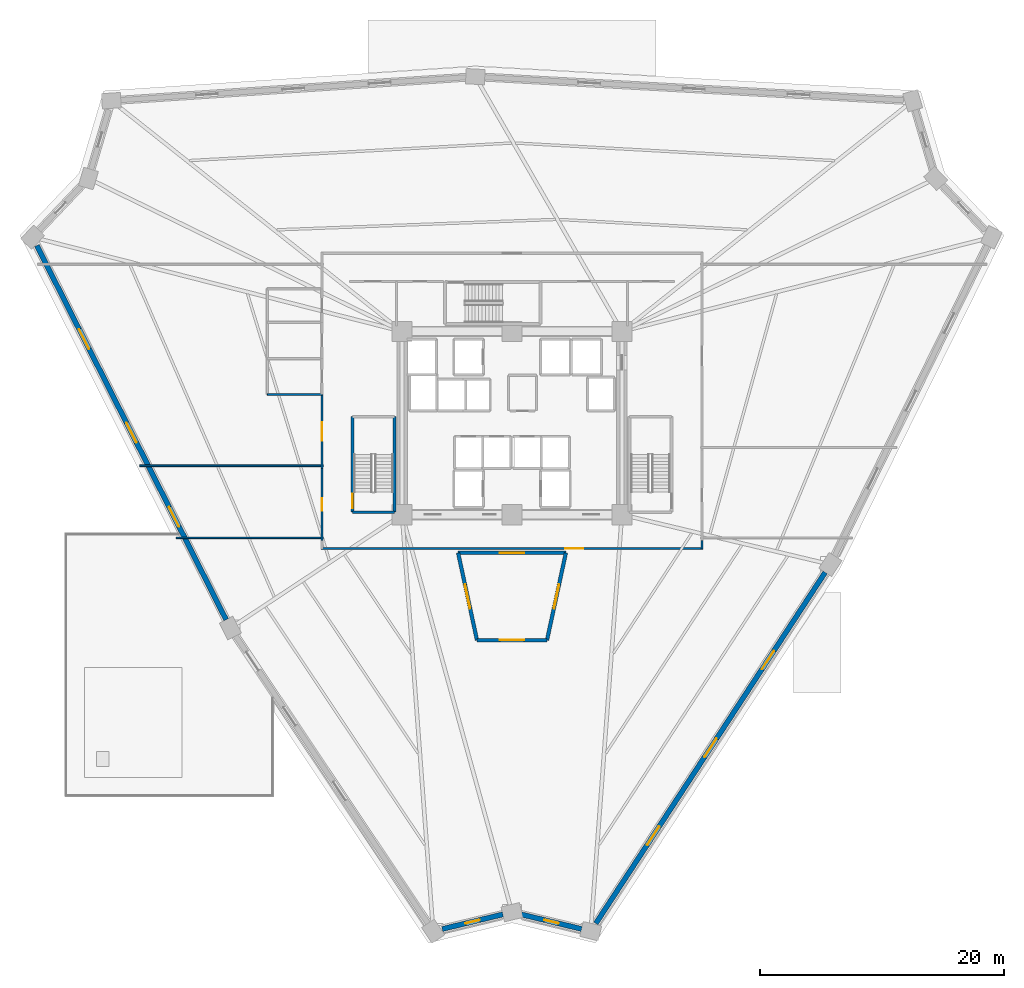
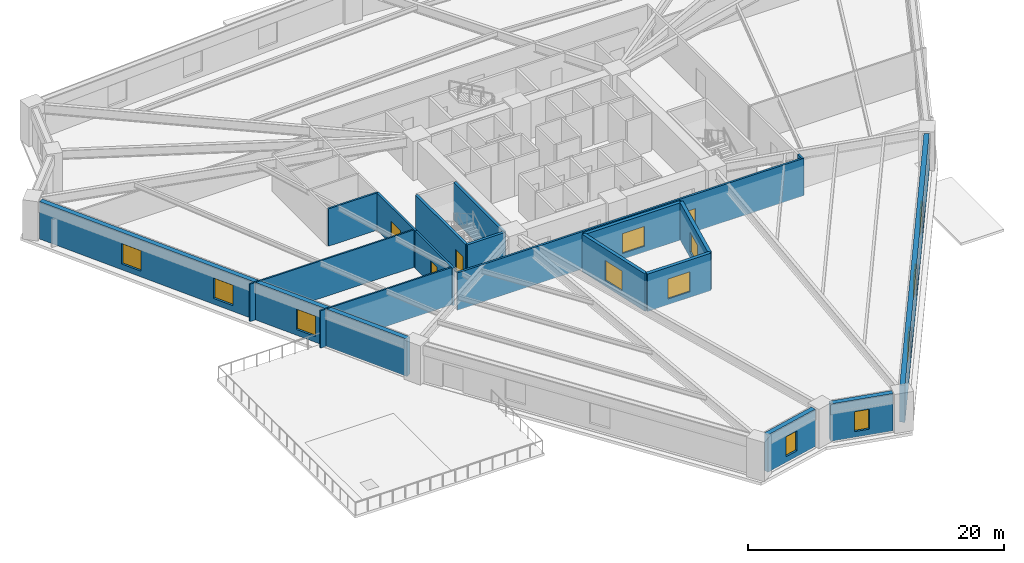
# One storey, part 3 of 9: 18 walls, 12 windows, 4 doors, 16 openings.
"""IFC4 building model written with IfcOpenShell, lengths in metres."""

from ifc_helpers import new_model, si_unit, direction, frame, frame_2d, origin, place, context, subcontext, project, spatial, rectangle, extrude, source, transform, mapped, material, layer, layer_set, type_object, element, fill, save


model = new_model("IFC4")

# Units and contexts
model_context = context("Model", 3, precision=1e-05, world=origin(), true_north=direction((0.0, 1.0)))
body_context = subcontext(model_context, "Body", "Model", "MODEL_VIEW")
ifc_project = project(units=[si_unit("LENGTHUNIT", "METRE"), si_unit("AREAUNIT", "SQUARE_METRE"), si_unit("VOLUMEUNIT", "CUBIC_METRE"), si_unit("PLANEANGLEUNIT", "RADIAN"), si_unit("MASSUNIT", "GRAM", prefix="KILO")], contexts=[model_context])

# Site, building, storey
site_placement = place(None, origin())
site = spatial("IfcSite", under=ifc_project, at=site_placement, CompositionType="ELEMENT")
building_placement = place(site_placement, origin())
building = spatial("IfcBuilding", under=site, at=building_placement, Name="Liaohun Quay Tower", CompositionType="ELEMENT")
storey_placement = place(building_placement, frame((0.0, 0.0, 28.5)))
storey = spatial("IfcBuildingStorey", under=building, at=storey_placement, Name="L07", CompositionType="ELEMENT", Elevation=28.5)

# Wall, opening, window
ifc_material_1 = material(Name="Concrete C50", Category="concrete")
ifc_layer_1 = layer(ifc_material_1, 0.300048828125, Name="Concrete C50", Category="concrete")
ifc_layer_set_1 = layer_set([ifc_layer_1], Name="Concrete C50")
wall_type_1 = type_object("IfcWallType", Name="WAL-ATR-300", PredefinedType="SOLIDWALL", material=ifc_layer_set_1)
wall_1_placement = place(storey_placement, frame((57.133056640625, 36.22998046875, 0.0), z_axis=(0.0, 0.0, 1.0), x_axis=(-0.211350050716, 0.97741043378, 0.0)))
wall_1 = element("IfcWall", 1, at=wall_1_placement, inside=storey, type_object=wall_type_1, Name="L07 Atrium Fire Compartment Wall 1", PredefinedType="SOLIDWALL", context=body_context, shape_type="SweptSolid", body=[
    extrude(rectangle(XDim=7.30517578125, YDim=0.300048828125, at=frame_2d((3.652587890625, 0.0))), origin(), (0.0, 0.0, 1.0), 3.570068359375),
])
shared_shape_1 = source(origin(), body_context, "Body", "SweptSolid", [
    extrude(rectangle(XDim=2.0, YDim=1.89990234375, at=frame_2d((1.0, 0.949951171875))), frame((0.0, 0.159912109375, 0.0), z_axis=(0.0, -1.0, 0.0), x_axis=(1.0, 0.0, 0.0)), (0.0, 0.0, 1.0), 0.320068359375),
])
opening_1_placement = place(wall_1_placement, frame((2.653076171875, 0.0, 0.550048828125)))
opening_1 = element("IfcOpeningElement", 2, at=opening_1_placement, cuts=wall_1, Name="Opening W07", PredefinedType="OPENING", context=body_context, shape_type="MappedRepresentation", body=[
    mapped(shared_shape_1, transform((0.0, 0.0, 0.0), x_axis=(1.0, 0.0, 0.0), y_axis=(0.0, 1.0, 0.0), z_axis=(0.0, 0.0, 1.0), scale=1.0)),
])
ifc_material_2 = material(Name="Class A 180-min fire-resistant insulated glazing", Category="glass")
window_type_1 = type_object("IfcWindowType", Name="WIN-ATR-FIR", PartitioningType="DOUBLE_PANEL_VERTICAL", PredefinedType="WINDOW", material=ifc_material_2)
shared_shape_2 = source(origin(), body_context, "Body", "SweptSolid", [
    extrude(rectangle(XDim=2.0, YDim=1.89990234375, at=frame_2d((1.0, 0.949951171875))), frame((0.0, 0.030029296875, 0.0), z_axis=(0.0, -1.0, 0.0), x_axis=(1.0, 0.0, 0.0)), (0.0, 0.0, 1.0), 0.06005859375),
])
window_1_placement = place(opening_1_placement, origin())
window_1 = element("IfcWindow", 3, at=window_1_placement, inside=storey, type_object=window_type_1, Name="L07 Atrium Fire-Resistant Glazing W07-1", OverallHeight=1.89990234375, OverallWidth=2.0, PartitioningType="DOUBLE_PANEL_VERTICAL", PredefinedType="WINDOW", context=body_context, shape_type="MappedRepresentation", body=[
    mapped(shared_shape_2, transform((0.0, 0.0, 0.0), x_axis=(1.0, 0.0, 0.0), y_axis=(0.0, 1.0, 0.0), z_axis=(0.0, 0.0, 1.0), scale=1.0)),
])
fill(opening_1, window_1)

wall_2_placement = place(storey_placement, frame((55.589111328125, 43.3701171875, 0.0), z_axis=(0.0, 0.0, 1.0), x_axis=(1.0, 0.0, 0.0)))
wall_2 = element("IfcWall", 4, at=wall_2_placement, inside=storey, type_object=wall_type_1, Name="L07 Atrium Fire Compartment Wall 2", PredefinedType="SOLIDWALL", context=body_context, shape_type="SweptSolid", body=[
    extrude(rectangle(XDim=8.82177734375, YDim=0.300048828125, at=frame_2d((4.410888671875, 0.0))), origin(), (0.0, 0.0, 1.0), 3.570068359375),
])
opening_2_placement = place(wall_2_placement, frame((3.410888671875, 0.0, 0.550048828125)))
opening_2 = element("IfcOpeningElement", 5, at=opening_2_placement, cuts=wall_2, Name="Opening W07", PredefinedType="OPENING", context=body_context, shape_type="MappedRepresentation", body=[
    mapped(shared_shape_1, transform((0.0, 0.0, 0.0), x_axis=(1.0, 0.0, 0.0), y_axis=(0.0, 1.0, 0.0), z_axis=(0.0, 0.0, 1.0), scale=1.0)),
])
window_2_placement = place(opening_2_placement, origin())
window_2 = element("IfcWindow", 6, at=window_2_placement, inside=storey, type_object=window_type_1, Name="L07 Atrium Fire-Resistant Glazing W07-2", OverallHeight=1.89990234375, OverallWidth=2.0, PartitioningType="DOUBLE_PANEL_VERTICAL", PredefinedType="WINDOW", context=body_context, shape_type="MappedRepresentation", body=[
    mapped(shared_shape_2, transform((0.0, 0.0, 0.0), x_axis=(1.0, 0.0, 0.0), y_axis=(0.0, 1.0, 0.0), z_axis=(0.0, 0.0, 1.0), scale=1.0)),
])
fill(opening_2, window_2)

wall_3_placement = place(storey_placement, frame((64.410888671875, 43.3701171875, 0.0), z_axis=(0.0, 0.0, 1.0), x_axis=(-0.211350050716, -0.97741043378, 0.0)))
wall_3 = element("IfcWall", 7, at=wall_3_placement, inside=storey, type_object=wall_type_1, Name="L07 Atrium Fire Compartment Wall 3", PredefinedType="SOLIDWALL", context=body_context, shape_type="SweptSolid", body=[
    extrude(rectangle(XDim=7.30517578125, YDim=0.300048828125, at=frame_2d((3.652587890625, 0.0))), origin(), (0.0, 0.0, 1.0), 3.570068359375),
])
opening_3_placement = place(wall_3_placement, frame((2.653076171875, 0.0, 0.550048828125)))
opening_3 = element("IfcOpeningElement", 8, at=opening_3_placement, cuts=wall_3, Name="Opening W07", PredefinedType="OPENING", context=body_context, shape_type="MappedRepresentation", body=[
    mapped(shared_shape_1, transform((0.0, 0.0, 0.0), x_axis=(1.0, 0.0, 0.0), y_axis=(0.0, 1.0, 0.0), z_axis=(0.0, 0.0, 1.0), scale=1.0)),
])
window_3_placement = place(opening_3_placement, origin())
window_3 = element("IfcWindow", 9, at=window_3_placement, inside=storey, type_object=window_type_1, Name="L07 Atrium Fire-Resistant Glazing W07-3", OverallHeight=1.89990234375, OverallWidth=2.0, PartitioningType="DOUBLE_PANEL_VERTICAL", PredefinedType="WINDOW", context=body_context, shape_type="MappedRepresentation", body=[
    mapped(shared_shape_2, transform((0.0, 0.0, 0.0), x_axis=(1.0, 0.0, 0.0), y_axis=(0.0, 1.0, 0.0), z_axis=(0.0, 0.0, 1.0), scale=1.0)),
])
fill(opening_3, window_3)

wall_4_placement = place(storey_placement, frame((62.866943359375, 36.22998046875, 0.0), z_axis=(0.0, 0.0, 1.0), x_axis=(-1.0, 0.0, 0.0)))
wall_4 = element("IfcWall", 10, at=wall_4_placement, inside=storey, type_object=wall_type_1, Name="L07 Atrium Fire Compartment Wall 4", PredefinedType="SOLIDWALL", context=body_context, shape_type="SweptSolid", body=[
    extrude(rectangle(XDim=5.73388671875, YDim=0.300048828125, at=frame_2d((2.866943359375, 0.0))), origin(), (0.0, 0.0, 1.0), 3.570068359375),
])
opening_4_placement = place(wall_4_placement, frame((1.866943359375, 0.0, 0.550048828125)))
opening_4 = element("IfcOpeningElement", 11, at=opening_4_placement, cuts=wall_4, Name="Opening W07", PredefinedType="OPENING", context=body_context, shape_type="MappedRepresentation", body=[
    mapped(shared_shape_1, transform((0.0, 0.0, 0.0), x_axis=(1.0, 0.0, 0.0), y_axis=(0.0, 1.0, 0.0), z_axis=(0.0, 0.0, 1.0), scale=1.0)),
])
window_4_placement = place(opening_4_placement, origin())
window_4 = element("IfcWindow", 12, at=window_4_placement, inside=storey, type_object=window_type_1, Name="L07 Atrium Fire-Resistant Glazing W07-4", OverallHeight=1.89990234375, OverallWidth=2.0, PartitioningType="DOUBLE_PANEL_VERTICAL", PredefinedType="WINDOW", context=body_context, shape_type="MappedRepresentation", body=[
    mapped(shared_shape_2, transform((0.0, 0.0, 0.0), x_axis=(1.0, 0.0, 0.0), y_axis=(0.0, 1.0, 0.0), z_axis=(0.0, 0.0, 1.0), scale=1.0)),
])
fill(opening_4, window_4)

ifc_material_3 = material(Name="Precast concrete C50 insulated sandwich", Category="concrete")
ifc_layer_2 = layer(ifc_material_3, 0.419921875, Name="Precast concrete C50 insulated sandwich", Category="concrete")
ifc_layer_set_2 = layer_set([ifc_layer_2], Name="Precast concrete C50 insulated sandwich")
wall_type_2 = type_object("IfcWallType", Name="WAL-EXT-Z12", PredefinedType="SOLIDWALL", material=ifc_layer_set_2)
wall_5_placement = place(storey_placement, frame((60.743896484375, 13.77587890625, 0.0), z_axis=(0.0, 0.0, 1.0), x_axis=(0.972105159674, -0.234545429577, 0.0)))
wall_5 = element("IfcWall", 13, at=wall_5_placement, inside=storey, type_object=wall_type_2, Name="L07 Brutalist Precast Pier Wall 01", PredefinedType="SOLIDWALL", context=body_context, shape_type="SweptSolid", body=[
    extrude(rectangle(XDim=5.1025390625, YDim=0.419921875, at=frame_2d((2.55126953125, 0.0))), origin(), (0.0, 0.0, 1.0), 3.570068359375),
])
shared_shape_3 = source(origin(), body_context, "Body", "SweptSolid", [
    extrude(rectangle(XDim=1.199951171875, YDim=1.89990234375, at=frame_2d((0.60009765625, 0.949951171875))), frame((0.0, 0.219970703125, 0.0), z_axis=(0.0, -1.0, 0.0), x_axis=(1.0, 0.0, 0.0)), (0.0, 0.0, 1.0), 0.43994140625),
])
opening_5_placement = place(wall_5_placement, frame((1.950927734375, 0.0, 0.550048828125)))
opening_5 = element("IfcOpeningElement", 14, at=opening_5_placement, cuts=wall_5, Name="Opening W05", PredefinedType="OPENING", context=body_context, shape_type="MappedRepresentation", body=[
    mapped(shared_shape_3, transform((0.0, 0.0, 0.0), x_axis=(1.0, 0.0, 0.0), y_axis=(0.0, 1.0, 0.0), z_axis=(0.0, 0.0, 1.0), scale=1.0)),
])
ifc_material_4 = material(Name="Triple Low-E corner notch glazing", Category="glass")
window_type_2 = type_object("IfcWindowType", Name="WIN-NOTCH", PartitioningType="SINGLE_PANEL", PredefinedType="WINDOW", material=ifc_material_4)
shared_shape_4 = source(origin(), body_context, "Body", "SweptSolid", [
    extrude(rectangle(XDim=1.199951171875, YDim=1.89990234375, at=frame_2d((0.60009765625, 0.949951171875))), frame((0.0, 0.030029296875, 0.0), z_axis=(0.0, -1.0, 0.0), x_axis=(1.0, 0.0, 0.0)), (0.0, 0.0, 1.0), 0.06005859375),
])
window_5_placement = place(opening_5_placement, origin())
window_5 = element("IfcWindow", 15, at=window_5_placement, inside=storey, type_object=window_type_2, Name="L07 Corner Notch Window W05-01", OverallHeight=1.89990234375, OverallWidth=1.199951171875, PartitioningType="SINGLE_PANEL", PredefinedType="WINDOW", context=body_context, shape_type="MappedRepresentation", body=[
    mapped(shared_shape_4, transform((0.0, 0.0, 0.0), x_axis=(1.0, 0.0, 0.0), y_axis=(0.0, 1.0, 0.0), z_axis=(0.0, 0.0, 1.0), scale=1.0)),
])
fill(opening_5, window_5)

# Wall, openings, windows
wall_6_placement = place(storey_placement, frame((66.865966796875, 13.0390625, 0.0), z_axis=(0.0, 0.0, 1.0), x_axis=(0.546962537422, 0.837157083621, 0.0)))
wall_6 = element("IfcWall", 16, at=wall_6_placement, inside=storey, type_object=wall_type_2, Name="L07 Brutalist Precast Pier Wall 02", PredefinedType="SOLIDWALL", context=body_context, shape_type="SweptSolid", body=[
    extrude(rectangle(XDim=34.335205078125, YDim=0.419921875, at=frame_2d((17.16748046875, 0.0))), origin(), (0.0, 0.0, 1.0), 3.570068359375),
])
shared_shape_5 = source(origin(), body_context, "Body", "SweptSolid", [
    extrude(rectangle(XDim=1.800048828125, YDim=1.949951171875, at=frame_2d((0.89990234375, 0.97509765625))), frame((0.0, 0.219970703125, 0.0), z_axis=(0.0, -1.0, 0.0), x_axis=(1.0, 0.0, 0.0)), (0.0, 0.0, 1.0), 0.43994140625),
])
opening_6_placement = place(wall_6_placement, frame((7.68408203125, 0.0, 0.550048828125)))
opening_6 = element("IfcOpeningElement", 17, at=opening_6_placement, cuts=wall_6, Name="Opening W01", PredefinedType="OPENING", context=body_context, shape_type="MappedRepresentation", body=[
    mapped(shared_shape_5, transform((0.0, 0.0, 0.0), x_axis=(1.0, 0.0, 0.0), y_axis=(0.0, 1.0, 0.0), z_axis=(0.0, 0.0, 1.0), scale=1.0)),
])
opening_7_placement = place(wall_6_placement, frame((16.26806640625, 0.0, 0.550048828125)))
opening_7 = element("IfcOpeningElement", 18, at=opening_7_placement, cuts=wall_6, Name="Opening W01", PredefinedType="OPENING", context=body_context, shape_type="MappedRepresentation", body=[
    mapped(shared_shape_5, transform((0.0, 0.0, 0.0), x_axis=(1.0, 0.0, 0.0), y_axis=(0.0, 1.0, 0.0), z_axis=(0.0, 0.0, 1.0), scale=1.0)),
])
opening_8_placement = place(wall_6_placement, frame((24.85107421875, 0.0, 0.550048828125)))
opening_8 = element("IfcOpeningElement", 19, at=opening_8_placement, cuts=wall_6, Name="Opening W01", PredefinedType="OPENING", context=body_context, shape_type="MappedRepresentation", body=[
    mapped(shared_shape_5, transform((0.0, 0.0, 0.0), x_axis=(1.0, 0.0, 0.0), y_axis=(0.0, 1.0, 0.0), z_axis=(0.0, 0.0, 1.0), scale=1.0)),
])
ifc_material_5 = material(Name="Triple Low-E argon glazing in thermally broken aluminium", Category="aluminium")
window_type_3 = type_object("IfcWindowType", Name="WIN-PUN-Z1", PartitioningType="DOUBLE_PANEL_VERTICAL", PredefinedType="WINDOW", material=ifc_material_5)
shared_shape_6 = source(origin(), body_context, "Body", "SweptSolid", [
    extrude(rectangle(XDim=1.800048828125, YDim=1.949951171875, at=frame_2d((0.89990234375, 0.97509765625))), frame((0.0, 0.030029296875, 0.0), z_axis=(0.0, -1.0, 0.0), x_axis=(1.0, 0.0, 0.0)), (0.0, 0.0, 1.0), 0.06005859375),
])
window_6_placement = place(opening_6_placement, origin())
window_6 = element("IfcWindow", 20, at=window_6_placement, inside=storey, type_object=window_type_3, Name="L07 Recessed Cold-Climate Punched Window 02-1", OverallHeight=1.949951171875, OverallWidth=1.800048828125, PartitioningType="DOUBLE_PANEL_VERTICAL", PredefinedType="WINDOW", context=body_context, shape_type="MappedRepresentation", body=[
    mapped(shared_shape_6, transform((0.0, 0.0, 0.0), x_axis=(1.0, 0.0, 0.0), y_axis=(0.0, 1.0, 0.0), z_axis=(0.0, 0.0, 1.0), scale=1.0)),
])
fill(opening_6, window_6)
window_7_placement = place(opening_7_placement, origin())
window_7 = element("IfcWindow", 21, at=window_7_placement, inside=storey, type_object=window_type_3, Name="L07 Recessed Cold-Climate Punched Window 02-2", OverallHeight=1.949951171875, OverallWidth=1.800048828125, PartitioningType="DOUBLE_PANEL_VERTICAL", PredefinedType="WINDOW", context=body_context, shape_type="MappedRepresentation", body=[
    mapped(shared_shape_6, transform((0.0, 0.0, 0.0), x_axis=(1.0, 0.0, 0.0), y_axis=(0.0, 1.0, 0.0), z_axis=(0.0, 0.0, 1.0), scale=1.0)),
])
fill(opening_7, window_7)
window_8_placement = place(opening_8_placement, origin())
window_8 = element("IfcWindow", 22, at=window_8_placement, inside=storey, type_object=window_type_3, Name="L07 Recessed Cold-Climate Punched Window 02-3", OverallHeight=1.949951171875, OverallWidth=1.800048828125, PartitioningType="DOUBLE_PANEL_VERTICAL", PredefinedType="WINDOW", context=body_context, shape_type="MappedRepresentation", body=[
    mapped(shared_shape_6, transform((0.0, 0.0, 0.0), x_axis=(1.0, 0.0, 0.0), y_axis=(0.0, 1.0, 0.0), z_axis=(0.0, 0.0, 1.0), scale=1.0)),
])
fill(opening_8, window_8)

wall_7_placement = place(storey_placement, frame((21.093017578125, 68.533935546875, 0.0), z_axis=(0.0, 0.0, 1.0), x_axis=(0.451540292752, -0.892250729348, 0.0)))
wall_7 = element("IfcWall", 23, at=wall_7_placement, inside=storey, type_object=wall_type_2, Name="L07 Brutalist Precast Pier Wall 10", PredefinedType="SOLIDWALL", context=body_context, shape_type="SweptSolid", body=[
    extrude(rectangle(XDim=34.33349609375, YDim=0.419921875, at=frame_2d((17.166748046875, 0.0))), origin(), (0.0, 0.0, 1.0), 3.570068359375),
])
opening_9_placement = place(wall_7_placement, frame((7.68310546875, 0.0, 0.550048828125)))
opening_9 = element("IfcOpeningElement", 24, at=opening_9_placement, cuts=wall_7, Name="Opening W01", PredefinedType="OPENING", context=body_context, shape_type="MappedRepresentation", body=[
    mapped(shared_shape_5, transform((0.0, 0.0, 0.0), x_axis=(1.0, 0.0, 0.0), y_axis=(0.0, 1.0, 0.0), z_axis=(0.0, 0.0, 1.0), scale=1.0)),
])
opening_10_placement = place(wall_7_placement, frame((16.26708984375, 0.0, 0.550048828125)))
opening_10 = element("IfcOpeningElement", 25, at=opening_10_placement, cuts=wall_7, Name="Opening W01", PredefinedType="OPENING", context=body_context, shape_type="MappedRepresentation", body=[
    mapped(shared_shape_5, transform((0.0, 0.0, 0.0), x_axis=(1.0, 0.0, 0.0), y_axis=(0.0, 1.0, 0.0), z_axis=(0.0, 0.0, 1.0), scale=1.0)),
])
opening_11_placement = place(wall_7_placement, frame((24.0, 0.0, 0.550048828125)))
opening_11 = element("IfcOpeningElement", 26, at=opening_11_placement, cuts=wall_7, Name="Opening W01", PredefinedType="OPENING", context=body_context, shape_type="MappedRepresentation", body=[
    mapped(shared_shape_5, transform((0.0, 0.0, 0.0), x_axis=(1.0, 0.0, 0.0), y_axis=(0.0, 1.0, 0.0), z_axis=(0.0, 0.0, 1.0), scale=1.0)),
])
window_9_placement = place(opening_9_placement, origin())
window_9 = element("IfcWindow", 27, at=window_9_placement, inside=storey, type_object=window_type_3, Name="L07 Recessed Cold-Climate Punched Window 10-1", OverallHeight=1.949951171875, OverallWidth=1.800048828125, PartitioningType="DOUBLE_PANEL_VERTICAL", PredefinedType="WINDOW", context=body_context, shape_type="MappedRepresentation", body=[
    mapped(shared_shape_6, transform((0.0, 0.0, 0.0), x_axis=(1.0, 0.0, 0.0), y_axis=(0.0, 1.0, 0.0), z_axis=(0.0, 0.0, 1.0), scale=1.0)),
])
fill(opening_9, window_9)
window_10_placement = place(opening_10_placement, origin())
window_10 = element("IfcWindow", 28, at=window_10_placement, inside=storey, type_object=window_type_3, Name="L07 Recessed Cold-Climate Punched Window 10-2", OverallHeight=1.949951171875, OverallWidth=1.800048828125, PartitioningType="DOUBLE_PANEL_VERTICAL", PredefinedType="WINDOW", context=body_context, shape_type="MappedRepresentation", body=[
    mapped(shared_shape_6, transform((0.0, 0.0, 0.0), x_axis=(1.0, 0.0, 0.0), y_axis=(0.0, 1.0, 0.0), z_axis=(0.0, 0.0, 1.0), scale=1.0)),
])
fill(opening_10, window_10)
window_11_placement = place(opening_11_placement, origin())
window_11 = element("IfcWindow", 29, at=window_11_placement, inside=storey, type_object=window_type_3, Name="L07 Recessed Cold-Climate Punched Window 10-3", OverallHeight=1.949951171875, OverallWidth=1.800048828125, PartitioningType="DOUBLE_PANEL_VERTICAL", PredefinedType="WINDOW", context=body_context, shape_type="MappedRepresentation", body=[
    mapped(shared_shape_6, transform((0.0, 0.0, 0.0), x_axis=(1.0, 0.0, 0.0), y_axis=(0.0, 1.0, 0.0), z_axis=(0.0, 0.0, 1.0), scale=1.0)),
])
fill(opening_11, window_11)

# Wall, opening, window
wall_8_placement = place(storey_placement, frame((54.2900390625, 12.576904296875, 0.0), z_axis=(0.0, 0.0, 1.0), x_axis=(0.972070179576, 0.234690361924, 0.0)))
wall_8 = element("IfcWall", 30, at=wall_8_placement, inside=storey, type_object=wall_type_2, Name="L07 Brutalist Precast Pier Wall 12", PredefinedType="SOLIDWALL", context=body_context, shape_type="SweptSolid", body=[
    extrude(rectangle(XDim=5.108642578125, YDim=0.419921875, at=frame_2d((2.55419921875, 0.0))), origin(), (0.0, 0.0, 1.0), 3.570068359375),
])
opening_12_placement = place(wall_8_placement, frame((1.9541015625, 0.0, 0.550048828125)))
opening_12 = element("IfcOpeningElement", 31, at=opening_12_placement, cuts=wall_8, Name="Opening W05", PredefinedType="OPENING", context=body_context, shape_type="MappedRepresentation", body=[
    mapped(shared_shape_3, transform((0.0, 0.0, 0.0), x_axis=(1.0, 0.0, 0.0), y_axis=(0.0, 1.0, 0.0), z_axis=(0.0, 0.0, 1.0), scale=1.0)),
])
window_12_placement = place(opening_12_placement, origin())
window_12 = element("IfcWindow", 32, at=window_12_placement, inside=storey, type_object=window_type_2, Name="L07 Corner Notch Window W05-12", OverallHeight=1.89990234375, OverallWidth=1.199951171875, PartitioningType="SINGLE_PANEL", PredefinedType="WINDOW", context=body_context, shape_type="MappedRepresentation", body=[
    mapped(shared_shape_4, transform((0.0, 0.0, 0.0), x_axis=(1.0, 0.0, 0.0), y_axis=(0.0, 1.0, 0.0), z_axis=(0.0, 0.0, 1.0), scale=1.0)),
])
fill(opening_12, window_12)

# Wall, opening, door
ifc_material_6 = material(Name="Autoclaved aerated concrete blockwork", Category="masonry")
ifc_layer_3 = layer(ifc_material_6, 0.179931640625, Name="Autoclaved aerated concrete blockwork", Category="masonry")
ifc_layer_set_3 = layer_set([ifc_layer_3], Name="Autoclaved aerated concrete blockwork")
wall_type_3 = type_object("IfcWallType", Name="WAL-PRT-COR", PredefinedType="PARTITIONING", material=ifc_layer_set_3)
wall_9_placement = place(storey_placement, frame((44.43994140625, 50.284912109375, 0.0), z_axis=(0.0, 0.0, 1.0), x_axis=(0.0, 1.0, 0.0)))
wall_9 = element("IfcWall", 33, at=wall_9_placement, inside=storey, type_object=wall_type_3, Name="L07 Interior Partition Wall 011", PredefinedType="PARTITIONING", context=body_context, shape_type="SweptSolid", body=[
    extrude(rectangle(XDim=6.05517578125, YDim=0.179931640625, at=frame_2d((3.027587890625, 0.0))), origin(), (0.0, 0.0, 1.0), 3.570068359375),
])
shared_shape_7 = source(origin(), body_context, "Body", "SweptSolid", [
    extrude(rectangle(XDim=1.5, YDim=2.199951171875, at=frame_2d((0.75, 1.10009765625))), frame((0.0, 0.099853515625, 0.0), z_axis=(0.0, -1.0, 0.0), x_axis=(1.0, 0.0, 0.0)), (0.0, 0.0, 1.0), 0.199951171875),
])
opening_13_placement = place(wall_9_placement, frame((2.278076171875, 0.0, 0.0)))
opening_13 = element("IfcOpeningElement", 34, at=opening_13_placement, cuts=wall_9, Name="Opening OD2", PredefinedType="OPENING", context=body_context, shape_type="MappedRepresentation", body=[
    mapped(shared_shape_7, transform((0.0, 0.0, 0.0), x_axis=(1.0, 0.0, 0.0), y_axis=(0.0, 1.0, 0.0), z_axis=(0.0, 0.0, 1.0), scale=1.0)),
])
ifc_material_7 = material(Name="Acoustic oak veneer double door")
door_type_1 = type_object("IfcDoorType", Name="DOR-OFF-1500", OperationType="DOUBLE_DOOR_SINGLE_SWING", PredefinedType="DOOR", material=ifc_material_7)
shared_shape_8 = source(origin(), body_context, "Body", "SweptSolid", [
    extrude(rectangle(XDim=1.5, YDim=2.199951171875, at=frame_2d((0.75, 1.10009765625))), frame((0.0, 0.02490234375, 0.0), z_axis=(0.0, -1.0, 0.0), x_axis=(1.0, 0.0, 0.0)), (0.0, 0.0, 1.0), 0.050048828125),
])
door_1_placement = place(opening_13_placement, origin())
door_1 = element("IfcDoor", 35, at=door_1_placement, inside=storey, type_object=door_type_1, Name="L07 Architectural Design Studio 03 Door", OperationType="DOUBLE_DOOR_SINGLE_SWING", OverallHeight=2.199951171875, OverallWidth=1.5, PredefinedType="DOOR", context=body_context, shape_type="MappedRepresentation", body=[
    mapped(shared_shape_8, transform((0.0, 0.0, 0.0), x_axis=(1.0, 0.0, 0.0), y_axis=(0.0, 1.0, 0.0), z_axis=(0.0, 0.0, 1.0), scale=1.0)),
])
fill(opening_13, door_1)

wall_10_placement = place(storey_placement, frame((44.43994140625, 44.385009765625, 0.0), z_axis=(0.0, 0.0, 1.0), x_axis=(0.0, 1.0, 0.0)))
wall_10 = element("IfcWall", 36, at=wall_10_placement, inside=storey, type_object=wall_type_3, Name="L07 Interior Partition Wall 012", PredefinedType="PARTITIONING", context=body_context, shape_type="SweptSolid", body=[
    extrude(rectangle(XDim=5.89990234375, YDim=0.179931640625, at=frame_2d((2.949951171875, 0.0))), origin(), (0.0, 0.0, 1.0), 3.570068359375),
])
shared_shape_9 = source(origin(), body_context, "Body", "SweptSolid", [
    extrude(rectangle(XDim=1.0, YDim=2.199951171875, at=frame_2d((0.5, 1.10009765625))), frame((0.0, 0.099853515625, 0.0), z_axis=(0.0, -1.0, 0.0), x_axis=(1.0, 0.0, 0.0)), (0.0, 0.0, 1.0), 0.199951171875),
])
opening_14_placement = place(wall_10_placement, frame((2.449951171875, 0.0, 0.0)))
opening_14 = element("IfcOpeningElement", 37, at=opening_14_placement, cuts=wall_10, Name="Opening OD1", PredefinedType="OPENING", context=body_context, shape_type="MappedRepresentation", body=[
    mapped(shared_shape_9, transform((0.0, 0.0, 0.0), x_axis=(1.0, 0.0, 0.0), y_axis=(0.0, 1.0, 0.0), z_axis=(0.0, 0.0, 1.0), scale=1.0)),
])
ifc_material_8 = material(Name="Solid-core oak veneer timber leaf in steel frame", Category="steel")
door_type_2 = type_object("IfcDoorType", Name="DOR-OFF-1000", OperationType="NOTDEFINED", PredefinedType="DOOR", material=ifc_material_8)
shared_shape_10 = source(origin(), body_context, "Body", "SweptSolid", [
    extrude(rectangle(XDim=1.0, YDim=2.199951171875, at=frame_2d((0.5, 1.10009765625))), frame((0.0, 0.02490234375, 0.0), z_axis=(0.0, -1.0, 0.0), x_axis=(1.0, 0.0, 0.0)), (0.0, 0.0, 1.0), 0.050048828125),
])
door_2_placement = place(opening_14_placement, origin())
door_2 = element("IfcDoor", 38, at=door_2_placement, inside=storey, type_object=door_type_2, Name="L07 Project Collaboration Studio 04 Door", OperationType="SINGLE_SWING_LEFT", OverallHeight=2.199951171875, OverallWidth=1.0, PredefinedType="DOOR", context=body_context, shape_type="MappedRepresentation", body=[
    mapped(shared_shape_10, transform((0.0, 0.0, 0.0), x_axis=(1.0, 0.0, 0.0), y_axis=(0.0, 1.0, 0.0), z_axis=(0.0, 0.0, 1.0), scale=1.0)),
])
fill(opening_14, door_2)

wall_11_placement = place(storey_placement, frame((75.6298828125, 43.739990234375, 0.0), z_axis=(0.0, 0.0, 1.0), x_axis=(-1.0, 0.0, 0.0)))
wall_11 = element("IfcWall", 39, at=wall_11_placement, inside=storey, type_object=wall_type_3, Name="L07 Interior Partition Wall 013", PredefinedType="PARTITIONING", context=body_context, shape_type="SweptSolid", body=[
    extrude(rectangle(XDim=31.259765625, YDim=0.179931640625, at=frame_2d((15.6298828125, 0.0))), origin(), (0.0, 0.0, 1.0), 3.570068359375),
])
opening_15_placement = place(wall_11_placement, frame((9.780029296875, 0.0, 0.0)))
opening_15 = element("IfcOpeningElement", 40, at=opening_15_placement, cuts=wall_11, Name="Opening OD2", PredefinedType="OPENING", context=body_context, shape_type="MappedRepresentation", body=[
    mapped(shared_shape_7, transform((0.0, 0.0, 0.0), x_axis=(1.0, 0.0, 0.0), y_axis=(0.0, 1.0, 0.0), z_axis=(0.0, 0.0, 1.0), scale=1.0)),
])
door_3_placement = place(opening_15_placement, origin())
door_3 = element("IfcDoor", 41, at=door_3_placement, inside=storey, type_object=door_type_1, Name="L07 Technical Reference Library 05 Door", OperationType="DOUBLE_DOOR_SINGLE_SWING", OverallHeight=2.199951171875, OverallWidth=1.5, PredefinedType="DOOR", context=body_context, shape_type="MappedRepresentation", body=[
    mapped(shared_shape_8, transform((0.0, 0.0, 0.0), x_axis=(1.0, 0.0, 0.0), y_axis=(0.0, 1.0, 0.0), z_axis=(0.0, 0.0, 1.0), scale=1.0)),
])
fill(opening_15, door_3)

# Walls
wall_12_placement = place(storey_placement, frame((75.56005859375, 44.385009765625, 0.0), z_axis=(0.0, 0.0, 1.0), x_axis=(0.0, -1.0, 0.0)))
element("IfcWall", 42, at=wall_12_placement, inside=storey, type_object=wall_type_3, Name="L07 Interior Partition Wall 029", PredefinedType="PARTITIONING", context=body_context, shape_type="SweptSolid", body=[
    extrude(rectangle(XDim=0.715087890625, YDim=0.179931640625, at=frame_2d((0.357421875, 0.0))), origin(), (0.0, 0.0, 1.0), 3.570068359375),
])
ifc_material_9 = material(Name="Gypsum board on twin steel studs", Category="steel")
ifc_layer_4 = layer(ifc_material_9, 0.139892578125, Name="Gypsum board on twin steel studs", Category="steel")
ifc_layer_set_4 = layer_set([ifc_layer_4], Name="Gypsum board on twin steel studs")
wall_type_4 = type_object("IfcWallType", Name="WAL-PRT-OFF", PredefinedType="PARTITIONING", material=ifc_layer_set_4)
wall_13_placement = place(storey_placement, frame((44.5400390625, 44.60009765625, 0.0), z_axis=(0.0, 0.0, 1.0), x_axis=(-1.0, 0.0, 0.0)))
element("IfcWall", 43, at=wall_13_placement, inside=storey, type_object=wall_type_4, Name="L07 Interior Partition Wall 030", PredefinedType="PARTITIONING", context=body_context, shape_type="SweptSolid", body=[
    extrude(rectangle(XDim=12.041015625, YDim=0.139892578125, at=frame_2d((6.0205078125, 0.0))), origin(), (0.0, 0.0, 1.0), 3.570068359375),
])
wall_14_placement = place(storey_placement, frame((44.5400390625, 50.5, 0.0), z_axis=(0.0, 0.0, 1.0), x_axis=(-1.0, 0.0, 0.0)))
element("IfcWall", 44, at=wall_14_placement, inside=storey, type_object=wall_type_4, Name="L07 Interior Partition Wall 031", PredefinedType="PARTITIONING", context=body_context, shape_type="SweptSolid", body=[
    extrude(rectangle(XDim=15.027099609375, YDim=0.139892578125, at=frame_2d((7.513671875, 0.0))), origin(), (0.0, 0.0, 1.0), 3.570068359375),
])
ifc_material_10 = material(Name="Moisture-resistant masonry blockwork", Category="masonry")
ifc_layer_5 = layer(ifc_material_10, 0.159912109375, Name="Moisture-resistant masonry blockwork", Category="masonry")
ifc_layer_set_5 = layer_set([ifc_layer_5], Name="Moisture-resistant masonry blockwork")
wall_type_5 = type_object("IfcWallType", Name="WAL-PRT-WET", PredefinedType="PARTITIONING", material=ifc_layer_set_5)
wall_15_placement = place(storey_placement, frame((39.97998046875, 56.340087890625, 0.0), z_axis=(0.0, 0.0, 1.0), x_axis=(1.0, 0.0, 0.0)))
element("IfcWall", 45, at=wall_15_placement, inside=storey, type_object=wall_type_5, Name="L07 Interior Partition Wall 019", PredefinedType="PARTITIONING", context=body_context, shape_type="SweptSolid", body=[
    extrude(rectangle(XDim=4.4599609375, YDim=0.159912109375, at=frame_2d((2.22998046875, 0.0))), origin(), (0.0, 0.0, 1.0), 3.570068359375),
])
ifc_layer_6 = layer(ifc_material_1, 0.239990234375, Name="Concrete C50", Category="concrete")
ifc_layer_set_6 = layer_set([ifc_layer_6], Name="Concrete C50")
wall_type_6 = type_object("IfcWallType", Name="WAL-SHF-200", PredefinedType="SOLIDWALL", material=ifc_layer_set_6)
wall_16_placement = place(storey_placement, frame((46.93994140625, 46.699951171875, 0.0), z_axis=(0.0, 0.0, 1.0), x_axis=(1.0, 0.0, 0.0)))
element("IfcWall", 46, at=wall_16_placement, inside=storey, type_object=wall_type_6, Name="L07 Stairwell ST-1 Structural Core Wall S", PredefinedType="SOLIDWALL", context=body_context, shape_type="SweptSolid", body=[
    extrude(rectangle(XDim=3.43994140625, YDim=0.239990234375, at=frame_2d((1.719970703125, 0.0))), origin(), (0.0, 0.0, 1.0), 3.570068359375),
])
wall_17_placement = place(storey_placement, frame((50.3798828125, 46.699951171875, 0.0), z_axis=(0.0, 0.0, 1.0), x_axis=(0.0, 1.0, 0.0)))
element("IfcWall", 47, at=wall_17_placement, inside=storey, type_object=wall_type_6, Name="L07 Stairwell ST-1 Structural Core Wall E", PredefinedType="SOLIDWALL", context=body_context, shape_type="SweptSolid", body=[
    extrude(rectangle(XDim=7.820068359375, YDim=0.239990234375, at=frame_2d((3.91015625, 0.0))), origin(), (0.0, 0.0, 1.0), 3.570068359375),
])

# Wall, opening, door
wall_18_placement = place(storey_placement, frame((46.93994140625, 54.52001953125, 0.0), z_axis=(0.0, 0.0, 1.0), x_axis=(0.0, -1.0, 0.0)))
wall_18 = element("IfcWall", 48, at=wall_18_placement, inside=storey, type_object=wall_type_6, Name="L07 Stairwell ST-1 Structural Core Wall W", PredefinedType="SOLIDWALL", context=body_context, shape_type="SweptSolid", body=[
    extrude(rectangle(XDim=7.820068359375, YDim=0.239990234375, at=frame_2d((3.91015625, 0.0))), origin(), (0.0, 0.0, 1.0), 3.570068359375),
])
shared_shape_11 = source(origin(), body_context, "Body", "SweptSolid", [
    extrude(rectangle(XDim=1.199951171875, YDim=2.199951171875, at=frame_2d((0.60009765625, 1.10009765625))), frame((0.0, 0.1298828125, 0.0), z_axis=(0.0, -1.0, 0.0), x_axis=(1.0, 0.0, 0.0)), (0.0, 0.0, 1.0), 0.260009765625),
])
opening_16_placement = place(wall_18_placement, frame((6.300048828125, 0.0, 0.0)))
opening_16 = element("IfcOpeningElement", 49, at=opening_16_placement, cuts=wall_18, Name="Opening SD1", PredefinedType="OPENING", context=body_context, shape_type="MappedRepresentation", body=[
    mapped(shared_shape_11, transform((0.0, 0.0, 0.0), x_axis=(1.0, 0.0, 0.0), y_axis=(0.0, 1.0, 0.0), z_axis=(0.0, 0.0, 1.0), scale=1.0)),
])
ifc_material_11 = material(Name="Galvanised steel fire door", Category="steel")
door_type_3 = type_object("IfcDoorType", Name="DOR-STR-1200", OperationType="NOTDEFINED", PredefinedType="DOOR", material=ifc_material_11)
shared_shape_12 = source(origin(), body_context, "Body", "SweptSolid", [
    extrude(rectangle(XDim=1.199951171875, YDim=2.199951171875, at=frame_2d((0.60009765625, 1.10009765625))), frame((0.0, 0.02490234375, 0.0), z_axis=(0.0, -1.0, 0.0), x_axis=(1.0, 0.0, 0.0)), (0.0, 0.0, 1.0), 0.050048828125),
])
door_4_placement = place(opening_16_placement, origin())
door_4 = element("IfcDoor", 50, at=door_4_placement, inside=storey, type_object=door_type_3, Name="L07 Protected Stair ST-1 Fire Door", OperationType="SINGLE_SWING_LEFT", OverallHeight=2.199951171875, OverallWidth=1.199951171875, PredefinedType="DOOR", context=body_context, shape_type="MappedRepresentation", body=[
    mapped(shared_shape_12, transform((0.0, 0.0, 0.0), x_axis=(1.0, 0.0, 0.0), y_axis=(0.0, 1.0, 0.0), z_axis=(0.0, 0.0, 1.0), scale=1.0)),
])
fill(opening_16, door_4)

save(model, "model.ifc")
